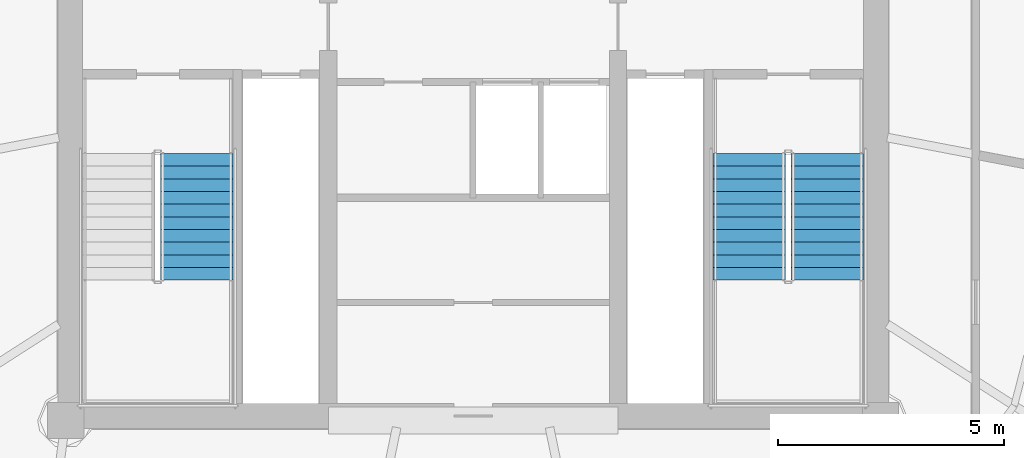
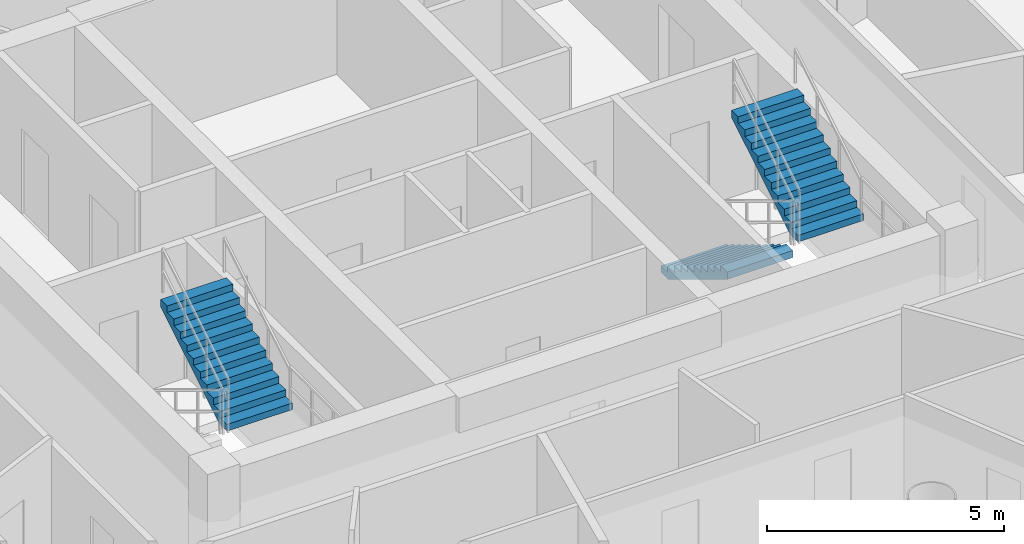
# One storey, part 20 of 23: 3 stair flights, 2 elements without a shape of their own.
"""IFC4 building model written with IfcOpenShell, lengths in metres."""

from ifc_helpers import new_model, si_unit, direction, frame, origin, place, context, subcontext, project, spatial, polyline, outline, extrude, material, type_object, element, aggregate, save


model = new_model("IFC4")

# Units and contexts
model_context = context("Model", 3, precision=1e-05, world=origin(), true_north=direction((-0.2419218956, 0.970295726276)))
body_context = subcontext(model_context, "Body", "Model", "MODEL_VIEW")
ifc_project = project(units=[si_unit("LENGTHUNIT", "METRE"), si_unit("AREAUNIT", "SQUARE_METRE"), si_unit("VOLUMEUNIT", "CUBIC_METRE"), si_unit("PLANEANGLEUNIT", "RADIAN"), si_unit("MASSUNIT", "GRAM", prefix="KILO")], contexts=[model_context])

# Site, building, storey
site_placement = place(None, origin())
site = spatial("IfcSite", under=ifc_project, at=site_placement, CompositionType="ELEMENT")
building_placement = place(site_placement, origin())
building = spatial("IfcBuilding", under=site, at=building_placement, Name="Cobrevalo Terracotta Tower", CompositionType="ELEMENT")
storey_placement = place(building_placement, frame((0.0, 0.0, 259.449951171875)))
storey = spatial("IfcBuildingStorey", under=building, at=storey_placement, Name="L68", CompositionType="ELEMENT", Elevation=259.449951171875)

# Stair, stair flight
ifc_material = material(Name="Concrete C50", Category="concrete")
stair_type = type_object("IfcStairType", Name="Core protected escape dogleg stair 1600", PredefinedType="HALF_TURN_STAIR", material=ifc_material)
stair_1_placement = place(storey_placement, origin())
stair_1 = element("IfcStair", 1, at=stair_1_placement, inside=storey, type_object=stair_type, Name="L68 Protected exit stair ST-1", PredefinedType="HALF_TURN_STAIR")
stair_flight_type = type_object("IfcStairFlightType", Name="Core protected escape dogleg stair 1600 flight", PredefinedType="STRAIGHT", material=ifc_material)
stair_flight_1_placement = place(storey_placement, frame((31.89501953125, 21.89990234375, 1.875), z_axis=(0.0, 0.0, 1.0), x_axis=(0.0, 1.0, 0.0)))
stair_flight_1 = element("IfcStairFlight", 2, at=stair_flight_1_placement, type_object=stair_flight_type, Name="ST-1 flight 2", NumberOfRisers=11, NumberOfTreads=10, PredefinedType="STRAIGHT", RiserHeight=0.170454545, TreadLength=0.28, context=body_context, shape_type="SweptSolid", body=[
    extrude(outline(polyline([(0.0, 0.0), (0.0, 0.17041015625), (0.280029296875, 0.17041015625), (0.280029296875, 0.3408203125), (0.56005859375, 0.3408203125), (0.56005859375, 0.511474609375), (0.840087890625, 0.511474609375), (0.840087890625, 0.681884765625), (1.1201171875, 0.681884765625), (1.1201171875, 0.852294921875), (1.39990234375, 0.852294921875), (1.39990234375, 1.022705078125), (1.679931640625, 1.022705078125), (1.679931640625, 1.193115234375), (1.9599609375, 1.193115234375), (1.9599609375, 1.363525390625), (2.239990234375, 1.363525390625), (2.239990234375, 1.5341796875), (2.52001953125, 1.5341796875), (2.52001953125, 1.70458984375), (2.800048828125, 1.70458984375), (2.800048828125, 1.875), (2.800048828125, 1.517333984375), (0.3076171875, 0.0), (0.0, 0.0)])), frame((0.0, 0.800048828125, 0.0), z_axis=(0.0, -1.0, 0.0), x_axis=(1.0, 0.0, 0.0)), (0.0, 0.0, 1.0), 1.60009765625),
])
aggregate(stair_1, [stair_flight_1])

# Stair, stair flights
stair_2_placement = place(storey_placement, origin())
stair_2 = element("IfcStair", 3, at=stair_2_placement, inside=storey, type_object=stair_type, Name="L68 Protected exit stair ST-2", PredefinedType="HALF_TURN_STAIR")
stair_flight_2_placement = place(storey_placement, frame((44.10498046875, 24.699951171875, 0.0), z_axis=(0.0, 0.0, 1.0), x_axis=(0.0, -1.0, 0.0)))
stair_flight_2 = element("IfcStairFlight", 4, at=stair_flight_2_placement, type_object=stair_flight_type, Name="ST-2 flight 1", NumberOfRisers=11, NumberOfTreads=10, PredefinedType="STRAIGHT", RiserHeight=0.170454545, TreadLength=0.28, context=body_context, shape_type="SweptSolid", body=[
    extrude(outline(polyline([(0.0, 0.0), (0.0, 0.17041015625), (0.280029296875, 0.17041015625), (0.280029296875, 0.3408203125), (0.56005859375, 0.3408203125), (0.56005859375, 0.511474609375), (0.840087890625, 0.511474609375), (0.840087890625, 0.681884765625), (1.1201171875, 0.681884765625), (1.1201171875, 0.852294921875), (1.39990234375, 0.852294921875), (1.39990234375, 1.022705078125), (1.679931640625, 1.022705078125), (1.679931640625, 1.193115234375), (1.9599609375, 1.193115234375), (1.9599609375, 1.363525390625), (2.239990234375, 1.363525390625), (2.239990234375, 1.5341796875), (2.52001953125, 1.5341796875), (2.52001953125, 1.70458984375), (2.800048828125, 1.70458984375), (2.800048828125, 1.875), (2.800048828125, 1.517333984375), (0.3076171875, 0.0), (0.0, 0.0)])), frame((0.0, 0.800048828125, 0.0), z_axis=(0.0, -1.0, 0.0), x_axis=(1.0, 0.0, 0.0)), (0.0, 0.0, 1.0), 1.60009765625),
])
stair_flight_3_placement = place(storey_placement, frame((45.824951171875, 21.89990234375, 1.875), z_axis=(0.0, 0.0, 1.0), x_axis=(0.0, 1.0, 0.0)))
stair_flight_3 = element("IfcStairFlight", 5, at=stair_flight_3_placement, type_object=stair_flight_type, Name="ST-2 flight 2", NumberOfRisers=11, NumberOfTreads=10, PredefinedType="STRAIGHT", RiserHeight=0.170454545, TreadLength=0.28, context=body_context, shape_type="SweptSolid", body=[
    extrude(outline(polyline([(0.0, 0.0), (0.0, 0.17041015625), (0.280029296875, 0.17041015625), (0.280029296875, 0.3408203125), (0.56005859375, 0.3408203125), (0.56005859375, 0.511474609375), (0.840087890625, 0.511474609375), (0.840087890625, 0.681884765625), (1.1201171875, 0.681884765625), (1.1201171875, 0.852294921875), (1.39990234375, 0.852294921875), (1.39990234375, 1.022705078125), (1.679931640625, 1.022705078125), (1.679931640625, 1.193115234375), (1.9599609375, 1.193115234375), (1.9599609375, 1.363525390625), (2.239990234375, 1.363525390625), (2.239990234375, 1.5341796875), (2.52001953125, 1.5341796875), (2.52001953125, 1.70458984375), (2.800048828125, 1.70458984375), (2.800048828125, 1.875), (2.800048828125, 1.517333984375), (0.3076171875, 0.0), (0.0, 0.0)])), frame((0.0, 0.800048828125, 0.0), z_axis=(0.0, -1.0, 0.0), x_axis=(1.0, 0.0, 0.0)), (0.0, 0.0, 1.0), 1.60009765625),
])
aggregate(stair_2, [stair_flight_2, stair_flight_3])

save(model, "model.ifc")
